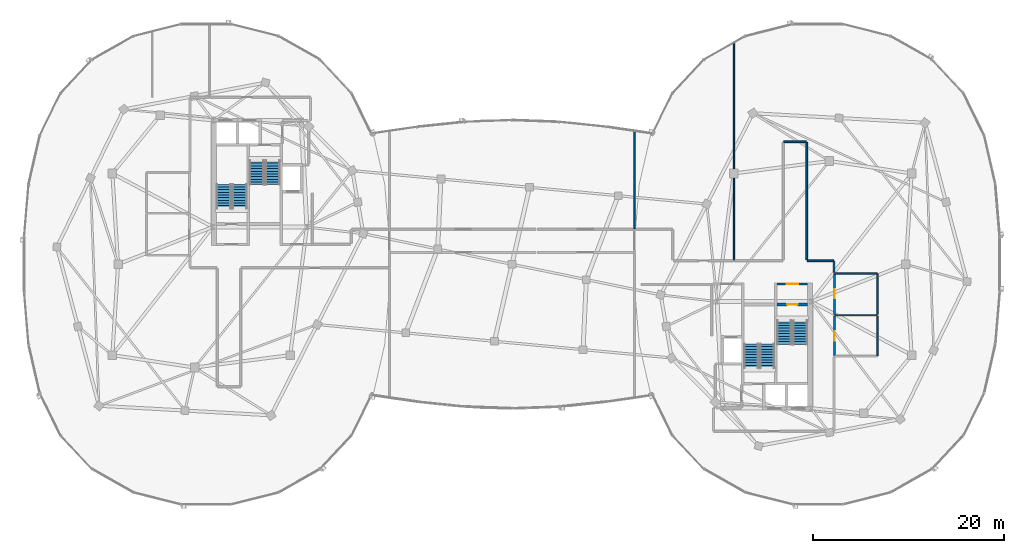
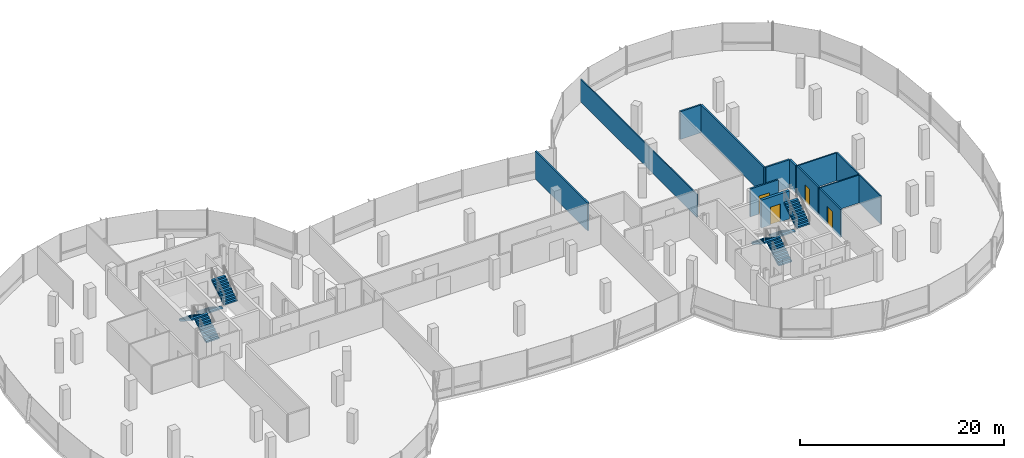
# One storey, part 16 of 24: 14 walls, 8 stair flights, 4 doors, 4 openings, 4 elements without a shape of their own.
"""IFC4 building model written with IfcOpenShell, lengths in metres."""

from ifc_helpers import new_model, si_unit, direction, frame, frame_2d, origin, place, context, subcontext, project, spatial, polyline, rectangle, outline, extrude, material, layer, layer_set, type_object, element, fill, aggregate, save


model = new_model("IFC4")

# Units and contexts
model_context = context("Model", 3, precision=1e-05, world=origin(), true_north=direction((0.0, 1.0)))
body_context = subcontext(model_context, "Body", "Model", "MODEL_VIEW")
ifc_project = project(units=[si_unit("LENGTHUNIT", "METRE"), si_unit("AREAUNIT", "SQUARE_METRE"), si_unit("VOLUMEUNIT", "CUBIC_METRE"), si_unit("PLANEANGLEUNIT", "RADIAN"), si_unit("MASSUNIT", "GRAM", prefix="KILO"), si_unit("THERMODYNAMICTEMPERATUREUNIT", "KELVIN"), si_unit("POWERUNIT", "WATT")], contexts=[model_context])

# Site, building, storey
site_placement = place(None, origin())
site = spatial("IfcSite", under=ifc_project, at=site_placement, CompositionType="ELEMENT")
building_placement = place(site_placement, origin())
building = spatial("IfcBuilding", under=site, at=building_placement, Name="Cundina Bronze Exchange", CompositionType="ELEMENT")
storey_placement = place(building_placement, frame((0.0, 0.0, 268.39990234375)))
storey = spatial("IfcBuildingStorey", under=building, at=storey_placement, Name="L71", CompositionType="ELEMENT", Elevation=268.39990234375)

# Wall, opening, door
ifc_material_1 = material(Name="Gypsum Fireboard Partition EI120")
ifc_layer_1 = layer(ifc_material_1, 0.179931640625, Name="Gypsum Fireboard Partition EI120")
ifc_layer_set_1 = layer_set([ifc_layer_1], Name="Gypsum Fireboard Partition EI120")
wall_type_1 = type_object("IfcWallType", Name="WL-COR-180", PredefinedType="PARTITIONING", material=ifc_layer_set_1)
wall_1_placement = place(storey_placement, frame((27.739990234375, -2.06005859375, 0.0), z_axis=(0.0, 0.0, 1.0), x_axis=(1.0, 0.0, 0.0)))
wall_1 = element("IfcWall", 1, at=wall_1_placement, inside=storey, type_object=wall_type_1, Name="L71 E Stair Vestibule Exit Wall", PredefinedType="PARTITIONING", context=body_context, shape_type="SweptSolid", body=[
    extrude(rectangle(XDim=3.159912109375, YDim=0.179931640625, at=frame_2d((1.580078125, 0.0))), origin(), (0.0, 0.0, 1.0), 3.340087890625),
])
opening_1_placement = place(wall_1_placement, frame((0.97998046875, 0.0, 0.0)))
opening_1 = element("IfcOpeningElement", 2, at=opening_1_placement, cuts=wall_1, Name="Opening DF-01", PredefinedType="OPENING", context=body_context, shape_type="SweptSolid", body=[
    extrude(rectangle(XDim=1.199951171875, YDim=2.14990234375, at=frame_2d((0.60009765625, 1.074951171875))), frame((0.0, 0.099853515625, 0.0), z_axis=(0.0, -1.0, 0.0), x_axis=(1.0, 0.0, 0.0)), (0.0, 0.0, 1.0), 0.199951171875),
])
ifc_material_2 = material(Name="Steel ASTM A36 Painted", Category="steel")
door_type_1 = type_object("IfcDoorType", Name="DR-FFL-1200", OperationType="NOTDEFINED", PredefinedType="DOOR", material=ifc_material_2)
door_1_placement = place(opening_1_placement, origin())
door_1 = element("IfcDoor", 3, at=door_1_placement, inside=storey, type_object=door_type_1, Name="L71 E Stair Vestibule Door", OperationType="SINGLE_SWING_RIGHT", OverallHeight=2.14990234375, OverallWidth=1.199951171875, PredefinedType="DOOR", context=body_context, shape_type="SweptSolid", body=[
    extrude(rectangle(XDim=1.199951171875, YDim=2.14990234375, at=frame_2d((0.60009765625, 1.074951171875))), frame((0.0, 0.02490234375, 0.0), z_axis=(0.0, -1.0, 0.0), x_axis=(1.0, 0.0, 0.0)), (0.0, 0.0, 1.0), 0.050048828125),
])
fill(opening_1, door_1)

wall_2_placement = place(storey_placement, frame((33.719970703125, -5.22998046875, 0.0), z_axis=(0.0, 0.0, 1.0), x_axis=(0.0, 1.0, 0.0)))
wall_2 = element("IfcWall", 4, at=wall_2_placement, inside=storey, type_object=wall_type_1, Name="L71 Interior Partition 036", PredefinedType="PARTITIONING", context=body_context, shape_type="SweptSolid", body=[
    extrude(rectangle(XDim=4.260009765625, YDim=0.179931640625, at=frame_2d((2.1298828125, 0.0))), origin(), (0.0, 0.0, 1.0), 3.340087890625),
])
opening_2_placement = place(wall_2_placement, frame((1.655029296875, 0.0, 0.0)))
opening_2 = element("IfcOpeningElement", 5, at=opening_2_placement, cuts=wall_2, Name="Opening DW-01", PredefinedType="OPENING", context=body_context, shape_type="SweptSolid", body=[
    extrude(rectangle(XDim=0.949951171875, YDim=2.10009765625, at=frame_2d((0.47509765625, 1.050048828125))), frame((0.0, 0.099853515625, 0.0), z_axis=(0.0, -1.0, 0.0), x_axis=(1.0, 0.0, 0.0)), (0.0, 0.0, 1.0), 0.199951171875),
])
ifc_material_3 = material(Name="Solid Andean Oak Timber Grade A", Category="wood")
door_type_2 = type_object("IfcDoorType", Name="DR-WC-950", OperationType="NOTDEFINED", PredefinedType="DOOR", material=ifc_material_3)
door_2_placement = place(opening_2_placement, origin())
door_2 = element("IfcDoor", 6, at=door_2_placement, inside=storey, type_object=door_type_2, Name="L71 Interior Door 036", OperationType="SINGLE_SWING_RIGHT", OverallHeight=2.10009765625, OverallWidth=0.949951171875, PredefinedType="DOOR", context=body_context, shape_type="SweptSolid", body=[
    extrude(rectangle(XDim=0.949951171875, YDim=2.10009765625, at=frame_2d((0.47509765625, 1.050048828125))), frame((0.0, 0.02490234375, 0.0), z_axis=(0.0, -1.0, 0.0), x_axis=(1.0, 0.0, 0.0)), (0.0, 0.0, 1.0), 0.050048828125),
])
fill(opening_2, door_2)

wall_3_placement = place(storey_placement, frame((33.719970703125, -9.590087890625, 0.0), z_axis=(0.0, 0.0, 1.0), x_axis=(0.0, 1.0, 0.0)))
wall_3 = element("IfcWall", 7, at=wall_3_placement, inside=storey, type_object=wall_type_1, Name="L71 Interior Partition 037", PredefinedType="PARTITIONING", context=body_context, shape_type="SweptSolid", body=[
    extrude(rectangle(XDim=4.16015625, YDim=0.179931640625, at=frame_2d((2.080078125, 0.0))), origin(), (0.0, 0.0, 1.0), 3.340087890625),
])
opening_3_placement = place(wall_3_placement, frame((1.580078125, 0.0, 0.0)))
opening_3 = element("IfcOpeningElement", 8, at=opening_3_placement, cuts=wall_3, Name="Opening DO-01", PredefinedType="OPENING", context=body_context, shape_type="SweptSolid", body=[
    extrude(rectangle(XDim=1.0, YDim=2.14990234375, at=frame_2d((0.5, 1.074951171875))), frame((0.0, 0.099853515625, 0.0), z_axis=(0.0, -1.0, 0.0), x_axis=(1.0, 0.0, 0.0)), (0.0, 0.0, 1.0), 0.199951171875),
])
door_type_3 = type_object("IfcDoorType", Name="DR-OFF-1000", OperationType="NOTDEFINED", PredefinedType="DOOR", material=ifc_material_3)
door_3_placement = place(opening_3_placement, origin())
door_3 = element("IfcDoor", 9, at=door_3_placement, inside=storey, type_object=door_type_3, Name="L71 Interior Door 037", OperationType="SINGLE_SWING_RIGHT", OverallHeight=2.14990234375, OverallWidth=1.0, PredefinedType="DOOR", context=body_context, shape_type="SweptSolid", body=[
    extrude(rectangle(XDim=1.0, YDim=2.14990234375, at=frame_2d((0.5, 1.074951171875))), frame((0.0, 0.02490234375, 0.0), z_axis=(0.0, -1.0, 0.0), x_axis=(1.0, 0.0, 0.0)), (0.0, 0.0, 1.0), 0.050048828125),
])
fill(opening_3, door_3)

# Walls
wall_4_placement = place(storey_placement, frame((30.820068359375, 0.449951171875, 0.0), z_axis=(0.0, 0.0, 1.0), x_axis=(0.0, 1.0, 0.0)))
element("IfcWall", 10, at=wall_4_placement, inside=storey, type_object=wall_type_1, Name="L71 Interior Partition 040", PredefinedType="PARTITIONING", context=body_context, shape_type="SweptSolid", body=[
    extrude(rectangle(XDim=12.32861328125, YDim=0.179931640625, at=frame_2d((6.164306640625, 0.0))), origin(), (0.0, 0.0, 1.0), 3.340087890625),
])
wall_5_placement = place(storey_placement, frame((33.62841796875, 0.3701171875, 0.0), z_axis=(0.0, 0.0, 1.0), x_axis=(-1.0, 0.0, 0.0)))
element("IfcWall", 11, at=wall_5_placement, inside=storey, type_object=wall_type_1, Name="L71 Interior Partition 045", PredefinedType="PARTITIONING", context=body_context, shape_type="SweptSolid", body=[
    extrude(rectangle(XDim=2.728515625, YDim=0.179931640625, at=frame_2d((1.3642578125, 0.0))), origin(), (0.0, 0.0, 1.0), 3.340087890625),
])
wall_6_placement = place(storey_placement, frame((30.778564453125, 12.820068359375, 0.0), z_axis=(0.0, 0.0, 1.0), x_axis=(-1.0, 0.0, 0.0)))
element("IfcWall", 12, at=wall_6_placement, inside=storey, type_object=wall_type_1, Name="L71 Interior Partition 046", PredefinedType="PARTITIONING", context=body_context, shape_type="SweptSolid", body=[
    extrude(rectangle(XDim=2.357177734375, YDim=0.179931640625, at=frame_2d((1.1787109375, 0.0))), origin(), (0.0, 0.0, 1.0), 3.340087890625),
])
wall_7_placement = place(storey_placement, frame((33.669921875, -0.858642578125, 0.0), z_axis=(0.0, 0.0, 1.0), x_axis=(0.0, 1.0, 0.0)))
element("IfcWall", 13, at=wall_7_placement, inside=storey, type_object=wall_type_1, Name="L71 Interior Partition 048", PredefinedType="PARTITIONING", context=body_context, shape_type="SweptSolid", body=[
    extrude(rectangle(XDim=1.187255859375, YDim=0.179931640625, at=frame_2d((0.59375, 0.0))), origin(), (0.0, 0.0, 1.0), 3.340087890625),
])
wall_8_placement = place(storey_placement, frame((12.800048828125, 3.739990234375, 0.0), z_axis=(0.0, 0.0, 1.0), x_axis=(0.0, 1.0, 0.0)))
element("IfcWall", 14, at=wall_8_placement, inside=storey, type_object=wall_type_1, Name="L71 Interior Partition 061", PredefinedType="PARTITIONING", context=body_context, shape_type="SweptSolid", body=[
    extrude(rectangle(XDim=10.3037109375, YDim=0.179931640625, at=frame_2d((5.15185546875, 0.0))), origin(), (0.0, 0.0, 1.0), 3.340087890625),
])
ifc_material_4 = material(Name="Gypsum Acoustic Partition EI60")
ifc_layer_2 = layer(ifc_material_4, 0.125, Name="Gypsum Acoustic Partition EI60")
ifc_layer_set_2 = layer_set([ifc_layer_2], Name="Gypsum Acoustic Partition EI60")
wall_type_2 = type_object("IfcWallType", Name="WL-OFF-125", PredefinedType="PARTITIONING", material=ifc_layer_set_2)
wall_9_placement = place(storey_placement, frame((23.219970703125, 0.39990234375, 0.0), z_axis=(0.0, 0.0, 1.0), x_axis=(0.0, 1.0, 0.0)))
element("IfcWall", 15, at=wall_9_placement, inside=storey, type_object=wall_type_2, Name="L71 Interior Partition 038", PredefinedType="PARTITIONING", context=body_context, shape_type="SweptSolid", body=[
    extrude(rectangle(XDim=22.880615234375, YDim=0.125, at=frame_2d((11.4404296875, 0.0))), origin(), (0.0, 0.0, 1.0), 2.72412109375),
])

# Wall, opening, door
ifc_material_5 = material(Name="Concrete C50/60", Category="concrete")
ifc_layer_3 = layer(ifc_material_5, 0.300048828125, Name="Concrete C50/60", Category="concrete")
ifc_layer_set_3 = layer_set([ifc_layer_3], Name="Concrete C50/60")
wall_type_3 = type_object("IfcWallType", Name="WL-SHFT-300", PredefinedType="SHEAR", material=ifc_layer_set_3)
wall_10_placement = place(storey_placement, frame((27.739990234375, -4.199951171875, 0.0), z_axis=(0.0, 0.0, 1.0), x_axis=(1.0, 0.0, 0.0)))
wall_10 = element("IfcWall", 16, at=wall_10_placement, inside=storey, type_object=wall_type_3, Name="L71 Stair E1 Landing Wall", PredefinedType="SHEAR", context=body_context, shape_type="SweptSolid", body=[
    extrude(rectangle(XDim=3.159912109375, YDim=0.300048828125, at=frame_2d((1.580078125, 0.0))), origin(), (0.0, 0.0, 1.0), 3.340087890625),
])
opening_4_placement = place(wall_10_placement, frame((1.030029296875, 0.0, 0.0)))
opening_4 = element("IfcOpeningElement", 17, at=opening_4_placement, cuts=wall_10, Name="Opening DS-01", PredefinedType="OPENING", context=body_context, shape_type="SweptSolid", body=[
    extrude(rectangle(XDim=1.10009765625, YDim=2.14990234375, at=frame_2d((0.550048828125, 1.074951171875))), frame((0.0, 0.159912109375, 0.0), z_axis=(0.0, -1.0, 0.0), x_axis=(1.0, 0.0, 0.0)), (0.0, 0.0, 1.0), 0.320068359375),
])
door_type_4 = type_object("IfcDoorType", Name="DR-STR-1100", OperationType="NOTDEFINED", PredefinedType="DOOR", material=ifc_material_2)
door_4_placement = place(opening_4_placement, origin())
door_4 = element("IfcDoor", 18, at=door_4_placement, inside=storey, type_object=door_type_4, Name="L71 Smokeproof Stair E1 Door", OperationType="SINGLE_SWING_LEFT", OverallHeight=2.14990234375, OverallWidth=1.10009765625, PredefinedType="DOOR", context=body_context, shape_type="SweptSolid", body=[
    extrude(rectangle(XDim=1.10009765625, YDim=2.14990234375, at=frame_2d((0.550048828125, 1.074951171875))), frame((0.0, 0.02490234375, 0.0), z_axis=(0.0, -1.0, 0.0), x_axis=(1.0, 0.0, 0.0)), (0.0, 0.0, 1.0), 0.050048828125),
])
fill(opening_4, door_4)

# Walls
ifc_material_6 = material(Name="Moisture-Resistant Masonry Block Grade M15", Category="masonry")
ifc_layer_4 = layer(ifc_material_6, 0.139892578125, Name="Moisture-Resistant Masonry Block Grade M15", Category="masonry")
ifc_layer_set_4 = layer_set([ifc_layer_4], Name="Moisture-Resistant Masonry Block Grade M15")
wall_type_4 = type_object("IfcWallType", Name="WL-WET-140", PredefinedType="PARTITIONING", material=ifc_layer_set_4)
wall_11_placement = place(storey_placement, frame((38.239990234375, -9.590087890625, 0.0), z_axis=(0.0, 0.0, 1.0), x_axis=(0.0, 1.0, 0.0)))
element("IfcWall", 19, at=wall_11_placement, inside=storey, type_object=wall_type_4, Name="L71 Interior Partition 031", PredefinedType="PARTITIONING", context=body_context, shape_type="SweptSolid", body=[
    extrude(rectangle(XDim=4.175048828125, YDim=0.139892578125, at=frame_2d((2.08740234375, 0.0))), origin(), (0.0, 0.0, 1.0), 3.340087890625),
])
wall_12_placement = place(storey_placement, frame((38.239990234375, -5.2451171875, 0.0), z_axis=(0.0, 0.0, 1.0), x_axis=(0.0, 1.0, 0.0)))
element("IfcWall", 20, at=wall_12_placement, inside=storey, type_object=wall_type_4, Name="L71 Interior Partition 032", PredefinedType="PARTITIONING", context=body_context, shape_type="SweptSolid", body=[
    extrude(rectangle(XDim=4.275146484375, YDim=0.139892578125, at=frame_2d((2.1376953125, 0.0))), origin(), (0.0, 0.0, 1.0), 3.340087890625),
])
for number, where, z_axis, x_axis, name in (
    (21, (33.739990234375, -0.949951171875, 0.0), (0.0, 0.0, 1.0), (1.0, 0.0, 0.0), "L71 Interior Partition 033"),
    (22, (33.739990234375, -5.330078125, 0.0), (0.0, 0.0, 1.0), (1.0, 0.0, 0.0), "L71 Interior Partition 034"),
):
    element("IfcWall", number, at=place(storey_placement, frame(where, z_axis=z_axis, x_axis=x_axis)), inside=storey, type_object=wall_type_4, Name=name, PredefinedType="PARTITIONING", context=body_context, shape_type="SweptSolid", body=[
        extrude(rectangle(XDim=4.47998046875, YDim=0.139892578125, at=frame_2d((2.239990234375, 0.0))), origin(), (0.0, 0.0, 1.0), 3.340087890625),
    ])

# Stair, stair flights
ifc_material_7 = material(Name="Concrete C40/50", Category="concrete")
stair_type = type_object("IfcStairType", Name="STR-OFF-360", PredefinedType="HALF_TURN_STAIR", material=ifc_material_7)
stair_1_placement = place(storey_placement, origin())
stair_1 = element("IfcStair", 23, at=stair_1_placement, inside=storey, type_object=stair_type, Name="L71 Smokeproof Exit Stair W1", PredefinedType="HALF_TURN_STAIR")
stair_flight_type = type_object("IfcStairFlightType", Name="FLG-OFF-180", PredefinedType="STRAIGHT", material=ifc_material_7)
stair_flight_1_placement = place(storey_placement, frame((-28.489990234375, 5.85009765625, 0.0), z_axis=(0.0, 0.0, 1.0), x_axis=(0.0, 1.0, 0.0)))
stair_flight_1 = element("IfcStairFlight", 24, at=stair_flight_1_placement, type_object=stair_flight_type, Name="ST-W1 flight 1", NumberOfRisers=10, NumberOfTreads=9, PredefinedType="STRAIGHT", RiserHeight=0.18, TreadLength=0.28, context=body_context, shape_type="SweptSolid", body=[
    extrude(outline(polyline([(0.0, 0.0), (0.0, 0.179931640625), (0.280029296875, 0.179931640625), (0.280029296875, 0.360107421875), (0.56005859375, 0.360107421875), (0.56005859375, 0.5400390625), (0.840087890625, 0.5400390625), (0.840087890625, 0.719970703125), (1.1201171875, 0.719970703125), (1.1201171875, 0.89990234375), (1.39990234375, 0.89990234375), (1.39990234375, 1.080078125), (1.679931640625, 1.080078125), (1.679931640625, 1.260009765625), (1.9599609375, 1.260009765625), (1.9599609375, 1.43994140625), (2.239990234375, 1.43994140625), (2.239990234375, 1.6201171875), (2.52001953125, 1.6201171875), (2.52001953125, 1.800048828125), (2.52001953125, 1.44189453125), (0.277099609375, 0.0), (0.0, 0.0)])), frame((0.0, 0.75, 0.0), z_axis=(0.0, -1.0, 0.0), x_axis=(1.0, 0.0, 0.0)), (0.0, 0.0, 1.0), 1.5),
])
stair_flight_2_placement = place(storey_placement, frame((-30.14990234375, 8.3701171875, 1.800048828125), z_axis=(0.0, 0.0, 1.0), x_axis=(0.0, -1.0, 0.0)))
stair_flight_2 = element("IfcStairFlight", 25, at=stair_flight_2_placement, type_object=stair_flight_type, Name="ST-W1 flight 2", NumberOfRisers=10, NumberOfTreads=9, PredefinedType="STRAIGHT", RiserHeight=0.18, TreadLength=0.28, context=body_context, shape_type="SweptSolid", body=[
    extrude(outline(polyline([(0.0, 0.0), (0.0, 0.179931640625), (0.280029296875, 0.179931640625), (0.280029296875, 0.360107421875), (0.56005859375, 0.360107421875), (0.56005859375, 0.5400390625), (0.840087890625, 0.5400390625), (0.840087890625, 0.719970703125), (1.1201171875, 0.719970703125), (1.1201171875, 0.89990234375), (1.39990234375, 0.89990234375), (1.39990234375, 1.080078125), (1.679931640625, 1.080078125), (1.679931640625, 1.260009765625), (1.9599609375, 1.260009765625), (1.9599609375, 1.43994140625), (2.239990234375, 1.43994140625), (2.239990234375, 1.6201171875), (2.52001953125, 1.6201171875), (2.52001953125, 1.800048828125), (2.52001953125, 1.44189453125), (0.277099609375, 0.0), (0.0, 0.0)])), frame((0.0, 0.75, 0.0), z_axis=(0.0, -1.0, 0.0), x_axis=(1.0, 0.0, 0.0)), (0.0, 0.0, 1.0), 1.5),
])
aggregate(stair_1, [stair_flight_1, stair_flight_2])

stair_2_placement = place(storey_placement, origin())
stair_2 = element("IfcStair", 26, at=stair_2_placement, inside=storey, type_object=stair_type, Name="L71 Smokeproof Exit Stair W2", PredefinedType="HALF_TURN_STAIR")
stair_flight_3_placement = place(storey_placement, frame((-26.68994140625, 10.85009765625, 0.0), z_axis=(0.0, 0.0, 1.0), x_axis=(0.0, -1.0, 0.0)))
stair_flight_3 = element("IfcStairFlight", 27, at=stair_flight_3_placement, type_object=stair_flight_type, Name="ST-W2 flight 1", NumberOfRisers=10, NumberOfTreads=9, PredefinedType="STRAIGHT", RiserHeight=0.18, TreadLength=0.28, context=body_context, shape_type="SweptSolid", body=[
    extrude(outline(polyline([(0.0, 0.0), (0.0, 0.179931640625), (0.280029296875, 0.179931640625), (0.280029296875, 0.360107421875), (0.56005859375, 0.360107421875), (0.56005859375, 0.5400390625), (0.840087890625, 0.5400390625), (0.840087890625, 0.719970703125), (1.1201171875, 0.719970703125), (1.1201171875, 0.89990234375), (1.39990234375, 0.89990234375), (1.39990234375, 1.080078125), (1.679931640625, 1.080078125), (1.679931640625, 1.260009765625), (1.9599609375, 1.260009765625), (1.9599609375, 1.43994140625), (2.239990234375, 1.43994140625), (2.239990234375, 1.6201171875), (2.52001953125, 1.6201171875), (2.52001953125, 1.800048828125), (2.52001953125, 1.44189453125), (0.277099609375, 0.0), (0.0, 0.0)])), frame((0.0, 0.75, 0.0), z_axis=(0.0, -1.0, 0.0), x_axis=(1.0, 0.0, 0.0)), (0.0, 0.0, 1.0), 1.5),
])
stair_flight_4_placement = place(storey_placement, frame((-25.030029296875, 8.330078125, 1.800048828125), z_axis=(0.0, 0.0, 1.0), x_axis=(0.0, 1.0, 0.0)))
stair_flight_4 = element("IfcStairFlight", 28, at=stair_flight_4_placement, type_object=stair_flight_type, Name="ST-W2 flight 2", NumberOfRisers=10, NumberOfTreads=9, PredefinedType="STRAIGHT", RiserHeight=0.18, TreadLength=0.28, context=body_context, shape_type="SweptSolid", body=[
    extrude(outline(polyline([(0.0, 0.0), (0.0, 0.179931640625), (0.280029296875, 0.179931640625), (0.280029296875, 0.360107421875), (0.56005859375, 0.360107421875), (0.56005859375, 0.5400390625), (0.840087890625, 0.5400390625), (0.840087890625, 0.719970703125), (1.1201171875, 0.719970703125), (1.1201171875, 0.89990234375), (1.39990234375, 0.89990234375), (1.39990234375, 1.080078125), (1.679931640625, 1.080078125), (1.679931640625, 1.260009765625), (1.9599609375, 1.260009765625), (1.9599609375, 1.43994140625), (2.239990234375, 1.43994140625), (2.239990234375, 1.6201171875), (2.52001953125, 1.6201171875), (2.52001953125, 1.800048828125), (2.52001953125, 1.44189453125), (0.277099609375, 0.0), (0.0, 0.0)])), frame((0.0, 0.75, 0.0), z_axis=(0.0, -1.0, 0.0), x_axis=(1.0, 0.0, 0.0)), (0.0, 0.0, 1.0), 1.5),
])
aggregate(stair_2, [stair_flight_3, stair_flight_4])

stair_3_placement = place(storey_placement, origin())
stair_3 = element("IfcStair", 29, at=stair_3_placement, inside=storey, type_object=stair_type, Name="L71 Smokeproof Exit Stair E1", PredefinedType="HALF_TURN_STAIR")
stair_flight_5_placement = place(storey_placement, frame((28.489990234375, -5.85009765625, 0.0), z_axis=(0.0, 0.0, 1.0), x_axis=(0.0, -1.0, 0.0)))
stair_flight_5 = element("IfcStairFlight", 30, at=stair_flight_5_placement, type_object=stair_flight_type, Name="ST-E1 flight 1", NumberOfRisers=10, NumberOfTreads=9, PredefinedType="STRAIGHT", RiserHeight=0.18, TreadLength=0.28, context=body_context, shape_type="SweptSolid", body=[
    extrude(outline(polyline([(0.0, 0.0), (0.0, 0.179931640625), (0.280029296875, 0.179931640625), (0.280029296875, 0.360107421875), (0.56005859375, 0.360107421875), (0.56005859375, 0.5400390625), (0.840087890625, 0.5400390625), (0.840087890625, 0.719970703125), (1.1201171875, 0.719970703125), (1.1201171875, 0.89990234375), (1.39990234375, 0.89990234375), (1.39990234375, 1.080078125), (1.679931640625, 1.080078125), (1.679931640625, 1.260009765625), (1.9599609375, 1.260009765625), (1.9599609375, 1.43994140625), (2.239990234375, 1.43994140625), (2.239990234375, 1.6201171875), (2.52001953125, 1.6201171875), (2.52001953125, 1.800048828125), (2.52001953125, 1.44189453125), (0.277099609375, 0.0), (0.0, 0.0)])), frame((0.0, 0.75, 0.0), z_axis=(0.0, -1.0, 0.0), x_axis=(1.0, 0.0, 0.0)), (0.0, 0.0, 1.0), 1.5),
])
stair_flight_6_placement = place(storey_placement, frame((30.14990234375, -8.3701171875, 1.800048828125), z_axis=(0.0, 0.0, 1.0), x_axis=(0.0, 1.0, 0.0)))
stair_flight_6 = element("IfcStairFlight", 31, at=stair_flight_6_placement, type_object=stair_flight_type, Name="ST-E1 flight 2", NumberOfRisers=10, NumberOfTreads=9, PredefinedType="STRAIGHT", RiserHeight=0.18, TreadLength=0.28, context=body_context, shape_type="SweptSolid", body=[
    extrude(outline(polyline([(0.0, 0.0), (0.0, 0.179931640625), (0.280029296875, 0.179931640625), (0.280029296875, 0.360107421875), (0.56005859375, 0.360107421875), (0.56005859375, 0.5400390625), (0.840087890625, 0.5400390625), (0.840087890625, 0.719970703125), (1.1201171875, 0.719970703125), (1.1201171875, 0.89990234375), (1.39990234375, 0.89990234375), (1.39990234375, 1.080078125), (1.679931640625, 1.080078125), (1.679931640625, 1.260009765625), (1.9599609375, 1.260009765625), (1.9599609375, 1.43994140625), (2.239990234375, 1.43994140625), (2.239990234375, 1.6201171875), (2.52001953125, 1.6201171875), (2.52001953125, 1.800048828125), (2.52001953125, 1.44189453125), (0.277099609375, 0.0), (0.0, 0.0)])), frame((0.0, 0.75, 0.0), z_axis=(0.0, -1.0, 0.0), x_axis=(1.0, 0.0, 0.0)), (0.0, 0.0, 1.0), 1.5),
])
aggregate(stair_3, [stair_flight_5, stair_flight_6])

stair_4_placement = place(storey_placement, origin())
stair_4 = element("IfcStair", 32, at=stair_4_placement, inside=storey, type_object=stair_type, Name="L71 Smokeproof Exit Stair E2", PredefinedType="HALF_TURN_STAIR")
stair_flight_7_placement = place(storey_placement, frame((26.68994140625, -10.85009765625, 0.0), z_axis=(0.0, 0.0, 1.0), x_axis=(0.0, 1.0, 0.0)))
stair_flight_7 = element("IfcStairFlight", 33, at=stair_flight_7_placement, type_object=stair_flight_type, Name="ST-E2 flight 1", NumberOfRisers=10, NumberOfTreads=9, PredefinedType="STRAIGHT", RiserHeight=0.18, TreadLength=0.28, context=body_context, shape_type="SweptSolid", body=[
    extrude(outline(polyline([(0.0, 0.0), (0.0, 0.179931640625), (0.280029296875, 0.179931640625), (0.280029296875, 0.360107421875), (0.56005859375, 0.360107421875), (0.56005859375, 0.5400390625), (0.840087890625, 0.5400390625), (0.840087890625, 0.719970703125), (1.1201171875, 0.719970703125), (1.1201171875, 0.89990234375), (1.39990234375, 0.89990234375), (1.39990234375, 1.080078125), (1.679931640625, 1.080078125), (1.679931640625, 1.260009765625), (1.9599609375, 1.260009765625), (1.9599609375, 1.43994140625), (2.239990234375, 1.43994140625), (2.239990234375, 1.6201171875), (2.52001953125, 1.6201171875), (2.52001953125, 1.800048828125), (2.52001953125, 1.44189453125), (0.277099609375, 0.0), (0.0, 0.0)])), frame((0.0, 0.75, 0.0), z_axis=(0.0, -1.0, 0.0), x_axis=(1.0, 0.0, 0.0)), (0.0, 0.0, 1.0), 1.5),
])
stair_flight_8_placement = place(storey_placement, frame((25.030029296875, -8.330078125, 1.800048828125), z_axis=(0.0, 0.0, 1.0), x_axis=(0.0, -1.0, 0.0)))
stair_flight_8 = element("IfcStairFlight", 34, at=stair_flight_8_placement, type_object=stair_flight_type, Name="ST-E2 flight 2", NumberOfRisers=10, NumberOfTreads=9, PredefinedType="STRAIGHT", RiserHeight=0.18, TreadLength=0.28, context=body_context, shape_type="SweptSolid", body=[
    extrude(outline(polyline([(0.0, 0.0), (0.0, 0.179931640625), (0.280029296875, 0.179931640625), (0.280029296875, 0.360107421875), (0.56005859375, 0.360107421875), (0.56005859375, 0.5400390625), (0.840087890625, 0.5400390625), (0.840087890625, 0.719970703125), (1.1201171875, 0.719970703125), (1.1201171875, 0.89990234375), (1.39990234375, 0.89990234375), (1.39990234375, 1.080078125), (1.679931640625, 1.080078125), (1.679931640625, 1.260009765625), (1.9599609375, 1.260009765625), (1.9599609375, 1.43994140625), (2.239990234375, 1.43994140625), (2.239990234375, 1.6201171875), (2.52001953125, 1.6201171875), (2.52001953125, 1.800048828125), (2.52001953125, 1.44189453125), (0.277099609375, 0.0), (0.0, 0.0)])), frame((0.0, 0.75, 0.0), z_axis=(0.0, -1.0, 0.0), x_axis=(1.0, 0.0, 0.0)), (0.0, 0.0, 1.0), 1.5),
])
aggregate(stair_4, [stair_flight_7, stair_flight_8])

save(model, "model.ifc")
